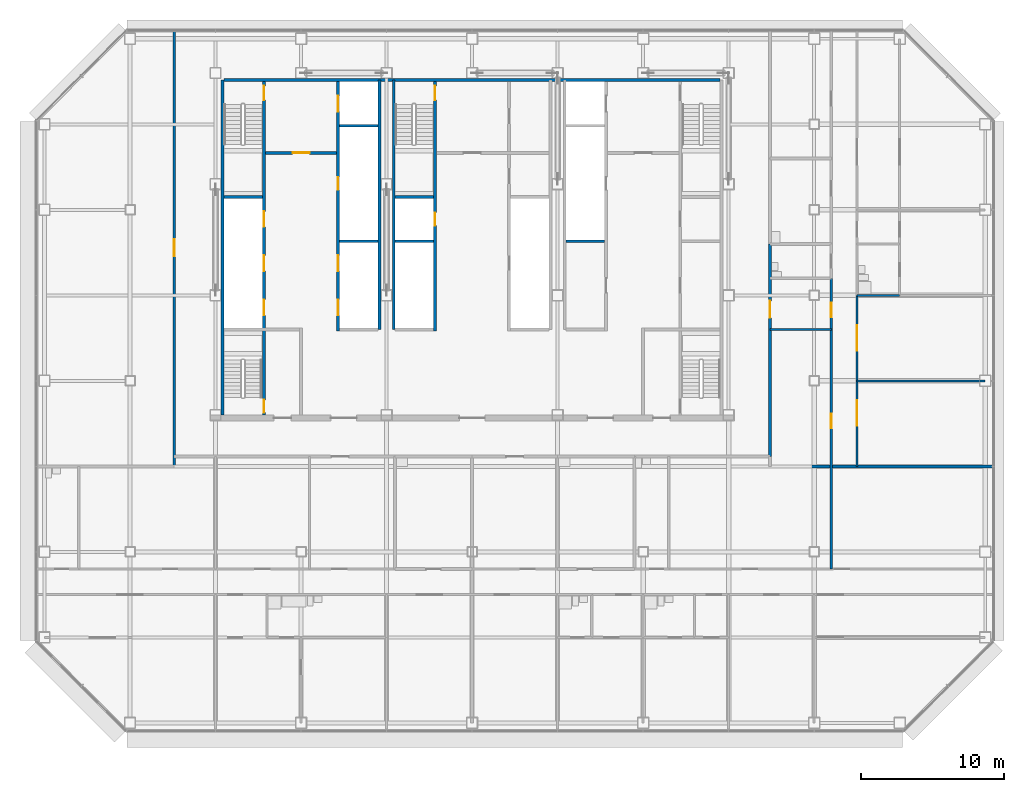
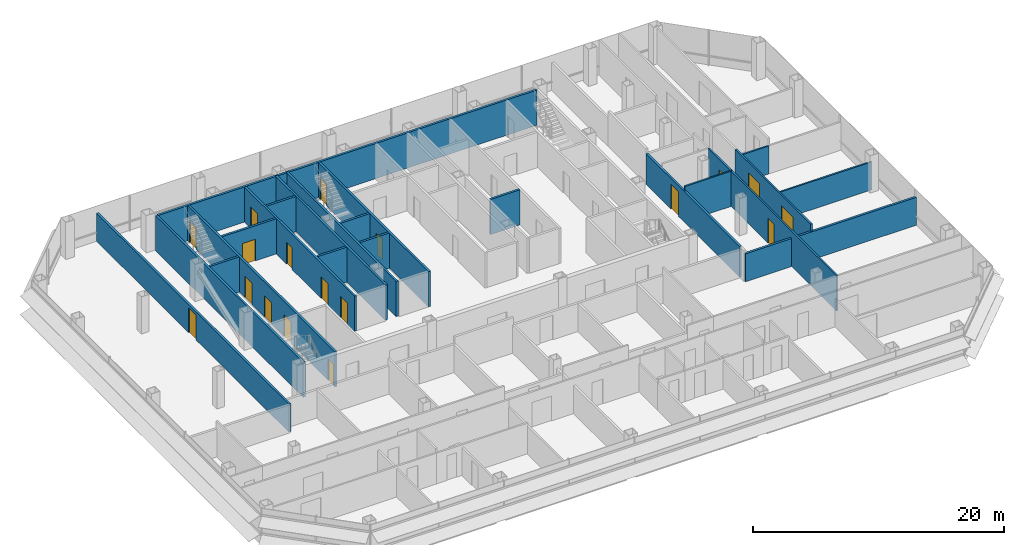
# One storey, part 21 of 25: 22 walls, 18 doors, 18 openings.
"""IFC4 building model written with IfcOpenShell, lengths in metres."""

from ifc_helpers import new_model, si_unit, direction, frame, frame_2d, origin, place, context, subcontext, project, spatial, rectangle, extrude, material, layer, layer_set, type_object, element, fill, save


model = new_model("IFC4")

# Units and contexts
model_context = context("Model", 3, precision=1e-05, world=origin(), true_north=direction((0.0, 1.0)))
body_context = subcontext(model_context, "Body", "Model", "MODEL_VIEW")
ifc_project = project(units=[si_unit("LENGTHUNIT", "METRE"), si_unit("AREAUNIT", "SQUARE_METRE"), si_unit("VOLUMEUNIT", "CUBIC_METRE"), si_unit("PLANEANGLEUNIT", "RADIAN"), si_unit("MASSUNIT", "GRAM", prefix="KILO")], contexts=[model_context])

# Site, building, storey
site_placement = place(None, origin())
site = spatial("IfcSite", under=ifc_project, at=site_placement, CompositionType="ELEMENT")
building_placement = place(site_placement, origin())
building = spatial("IfcBuilding", under=site, at=building_placement, Name="Sorahane Residences", CompositionType="ELEMENT")
storey_placement = place(building_placement, frame((0.0, 0.0, 119.60009765625)))
storey = spatial("IfcBuildingStorey", under=building, at=storey_placement, Name="L26", CompositionType="ELEMENT", Elevation=119.60009765625)

# Walls
ifc_material_1 = material(Name="Concrete C30", Category="concrete")
ifc_layer_1 = layer(ifc_material_1, 0.199951171875)
ifc_layer_set_1 = layer_set([ifc_layer_1], Name="Core face wall 200 EI 180")
wall_type_1 = type_object("IfcWallType", Name="Core face wall 200 EI 180", PredefinedType="SOLIDWALL", material=ifc_layer_set_1)
wall_1_placement = place(storey_placement, frame((6.5, 21.60009765625, 0.0), z_axis=(0.0, 0.0, 1.0), x_axis=(0.0, 1.0, 0.0)))
element("IfcWall", 1, at=wall_1_placement, inside=storey, type_object=wall_type_1, Name="L26 core face wall", PredefinedType="SOLIDWALL", context=body_context, shape_type="SweptSolid", body=[
    extrude(rectangle(XDim=23.5, YDim=0.199951171875, at=frame_2d((11.75, 0.0))), origin(), (0.0, 0.0, 1.0), 3.419921875),
])
wall_2_placement = place(storey_placement, frame((6.60009765625, 45.10009765625, 0.0), z_axis=(0.0, 0.0, 1.0), x_axis=(1.0, 0.0, 0.0)))
element("IfcWall", 2, at=wall_2_placement, inside=storey, type_object=wall_type_1, Name="L26 core face wall", PredefinedType="SOLIDWALL", context=body_context, shape_type="SweptSolid", body=[
    extrude(rectangle(XDim=34.7998046875, YDim=0.199951171875, at=frame_2d((17.39990234375, 0.0))), origin(), (0.0, 0.0, 1.0), 3.419921875),
])
for number, where, z_axis, x_axis, name in (
    (3, (17.5, 27.60009765625, 0.0), (0.0, 0.0, 1.0), (0.0, 1.0, 0.0), "L26 core face wall"),
    (4, (18.5, 27.60009765625, 0.0), (0.0, 0.0, 1.0), (0.0, 1.0, 0.0), "L26 core face wall"),
):
    element("IfcWall", number, at=place(storey_placement, frame(where, z_axis=z_axis, x_axis=x_axis)), inside=storey, type_object=wall_type_1, Name=name, PredefinedType="SOLIDWALL", context=body_context, shape_type="SweptSolid", body=[
        extrude(rectangle(XDim=17.5, YDim=0.199951171875, at=frame_2d((8.75, 0.0))), origin(), (0.0, 0.0, 1.0), 3.419921875),
    ])

# Wall, opening, door
ifc_material_2 = material(Name="Concrete blockwork C20 wall", Category="masonry")
ifc_layer_2 = layer(ifc_material_2, 0.199951171875)
ifc_layer_set_2 = layer_set([ifc_layer_2], Name="Corridor wall 200 EI 120")
wall_type_2 = type_object("IfcWallType", Name="Corridor wall 200 EI 120", PredefinedType="SOLIDWALL", material=ifc_layer_set_2)
wall_3_placement = place(storey_placement, frame((3.10009765625, 18.0, 0.0), z_axis=(0.0, 0.0, 1.0), x_axis=(0.0, 1.0, 0.0)))
wall_3 = element("IfcWall", 5, at=wall_3_placement, inside=storey, type_object=wall_type_2, Name="L26 corridor wall", PredefinedType="SOLIDWALL", context=body_context, shape_type="SweptSolid", body=[
    extrude(rectangle(XDim=30.60009765625, YDim=0.199951171875, at=frame_2d((15.300048828125, 0.0))), origin(), (0.0, 0.0, 1.0), 2.719970703125),
])
opening_1_placement = place(wall_3_placement, frame((14.75, 0.0, 0.0)))
opening_1 = element("IfcOpeningElement", 6, at=opening_1_placement, cuts=wall_3, Name="Opening L26-43", PredefinedType="OPENING", context=body_context, shape_type="SweptSolid", body=[
    extrude(rectangle(XDim=1.199951171875, YDim=2.39990234375, at=frame_2d((0.60009765625, 1.199951171875))), frame((0.0, 0.10986328125, 0.0), z_axis=(0.0, -1.0, 0.0), x_axis=(1.0, 0.0, 0.0)), (0.0, 0.0, 1.0), 0.219970703125),
])
ifc_material_3 = material(Name="Steel", Category="steel")
door_type_1 = type_object("IfcDoorType", Name="Lobby door 1200x2400 FD60", OperationType="NOTDEFINED", PredefinedType="DOOR", material=ifc_material_3)
door_1_placement = place(opening_1_placement, origin())
door_1 = element("IfcDoor", 7, at=door_1_placement, inside=storey, type_object=door_type_1, Name="Lobby door L26-43", OperationType="SINGLE_SWING_LEFT", OverallHeight=2.39990234375, OverallWidth=1.199951171875, PredefinedType="DOOR", context=body_context, shape_type="SweptSolid", body=[
    extrude(rectangle(XDim=1.199951171875, YDim=2.39990234375, at=frame_2d((0.60009765625, 1.199951171875))), frame((0.0, 0.02490234375, 0.0), z_axis=(0.0, -1.0, 0.0), x_axis=(1.0, 0.0, 0.0)), (0.0, 0.0, 1.0), 0.050048828125),
])
fill(opening_1, door_1)

wall_4_placement = place(storey_placement, frame((44.89990234375, 18.699951171875, 0.0), z_axis=(0.0, 0.0, 1.0), x_axis=(0.0, 1.0, 0.0)))
wall_4 = element("IfcWall", 8, at=wall_4_placement, inside=storey, type_object=wall_type_2, Name="L26 corridor wall", PredefinedType="SOLIDWALL", context=body_context, shape_type="SweptSolid", body=[
    extrude(rectangle(XDim=14.900146484375, YDim=0.199951171875, at=frame_2d((7.4501953125, 0.0))), origin(), (0.0, 0.0, 1.0), 2.969970703125),
])
opening_2_placement = place(wall_4_placement, frame((9.719970703125, 0.0, 0.0)))
opening_2 = element("IfcOpeningElement", 9, at=opening_2_placement, cuts=wall_4, Name="Opening L26-42", PredefinedType="OPENING", context=body_context, shape_type="SweptSolid", body=[
    extrude(rectangle(XDim=1.199951171875, YDim=2.39990234375, at=frame_2d((0.60009765625, 1.199951171875))), frame((0.0, 0.10986328125, 0.0), z_axis=(0.0, -1.0, 0.0), x_axis=(1.0, 0.0, 0.0)), (0.0, 0.0, 1.0), 0.219970703125),
])
ifc_material_4 = material(Name="Timber veneered fire door", Category="wood")
door_type_2 = type_object("IfcDoorType", Name="Flat entrance door 1200x2400 FD60", OperationType="NOTDEFINED", PredefinedType="DOOR", material=ifc_material_4)
door_2_placement = place(opening_2_placement, frame((1.199951171875, 0.0, 0.0), z_axis=(0.0, 0.0, 1.0), x_axis=(-1.0, 0.0, 0.0)))
door_2 = element("IfcDoor", 10, at=door_2_placement, inside=storey, type_object=door_type_2, Name="Flat entrance door L26-42", OperationType="SINGLE_SWING_RIGHT", OverallHeight=2.39990234375, OverallWidth=1.199951171875, PredefinedType="DOOR", context=body_context, shape_type="SweptSolid", body=[
    extrude(rectangle(XDim=1.199951171875, YDim=2.39990234375, at=frame_2d((0.60009765625, 1.199951171875))), frame((0.0, 0.02490234375, 0.0), z_axis=(0.0, -1.0, 0.0), x_axis=(1.0, 0.0, 0.0)), (0.0, 0.0, 1.0), 0.050048828125),
])
fill(opening_2, door_2)

ifc_material_5 = material(Name="Concrete C30", Category="concrete")
ifc_layer_3 = layer(ifc_material_5, 0.199951171875)
ifc_layer_set_3 = layer_set([ifc_layer_3], Name="Front room wall 200 EI 120")
wall_type_3 = type_object("IfcWallType", Name="Front room wall 200 EI 120", PredefinedType="PARTITIONING", material=ifc_layer_set_3)
wall_5_placement = place(storey_placement, frame((9.5, 40.0, 0.0), z_axis=(0.0, 0.0, 1.0), x_axis=(1.0, 0.0, 0.0)))
wall_5 = element("IfcWall", 11, at=wall_5_placement, inside=storey, type_object=wall_type_3, Name="L26 front room wall", PredefinedType="PARTITIONING", context=body_context, shape_type="SweptSolid", body=[
    extrude(rectangle(XDim=5.0, YDim=0.199951171875, at=frame_2d((2.5, 0.0))), origin(), (0.0, 0.0, 1.0), 3.419921875),
])
opening_3_placement = place(wall_5_placement, frame((1.89990234375, 0.0, 0.0)))
opening_3 = element("IfcOpeningElement", 12, at=opening_3_placement, cuts=wall_5, Name="Opening L26-C06", PredefinedType="OPENING", context=body_context, shape_type="SweptSolid", body=[
    extrude(rectangle(XDim=1.199951171875, YDim=2.10009765625, at=frame_2d((0.60009765625, 1.050048828125))), frame((0.0, 0.10986328125, 0.0), z_axis=(0.0, -1.0, 0.0), x_axis=(1.0, 0.0, 0.0)), (0.0, 0.0, 1.0), 0.219970703125),
])
ifc_material_6 = material(Name="Steel", Category="steel")
door_type_3 = type_object("IfcDoorType", Name="Front room door 1200x2100 FD120", OperationType="NOTDEFINED", PredefinedType="DOOR", material=ifc_material_6)
door_3_placement = place(opening_3_placement, frame((1.199951171875, 0.0, 0.0), z_axis=(0.0, 0.0, 1.0), x_axis=(-1.0, 0.0, 0.0)))
door_3 = element("IfcDoor", 13, at=door_3_placement, inside=storey, type_object=door_type_3, Name="Front room door Firefighting lobby FF1 front room L26", OperationType="DOUBLE_DOOR_SINGLE_SWING", OverallHeight=2.10009765625, OverallWidth=1.199951171875, PredefinedType="DOOR", context=body_context, shape_type="SweptSolid", body=[
    extrude(rectangle(XDim=1.199951171875, YDim=2.10009765625, at=frame_2d((0.60009765625, 1.050048828125))), frame((0.0, 0.02490234375, 0.0), z_axis=(0.0, -1.0, 0.0), x_axis=(1.0, 0.0, 0.0)), (0.0, 0.0, 1.0), 0.050048828125),
])
fill(opening_3, door_3)

# Wall, openings, doors
ifc_material_7 = material(Name="Concrete C30", Category="concrete")
ifc_layer_4 = layer(ifc_material_7, 0.199951171875)
ifc_layer_set_4 = layer_set([ifc_layer_4], Name="Lift shaft wall 200 EI 120")
wall_type_4 = type_object("IfcWallType", Name="Lift shaft wall 200 EI 120", PredefinedType="SOLIDWALL", material=ifc_layer_set_4)
wall_6_placement = place(storey_placement, frame((14.60009765625, 27.5, 0.0), z_axis=(0.0, 0.0, 1.0), x_axis=(0.0, 1.0, 0.0)))
wall_6 = element("IfcWall", 14, at=wall_6_placement, inside=storey, type_object=wall_type_4, Name="L26 lift shaft wall", PredefinedType="SOLIDWALL", context=body_context, shape_type="SweptSolid", body=[
    extrude(rectangle(XDim=17.5, YDim=0.199951171875, at=frame_2d((8.75, 0.0))), origin(), (0.0, 0.0, 1.0), 3.419921875),
])
opening_4_placement = place(wall_6_placement, frame((1.10009765625, 0.0, 0.0)))
opening_4 = element("IfcOpeningElement", 15, at=opening_4_placement, cuts=wall_6, Name="Opening L26-C10", PredefinedType="OPENING", context=body_context, shape_type="SweptSolid", body=[
    extrude(rectangle(XDim=1.10009765625, YDim=2.10009765625, at=frame_2d((0.550048828125, 1.050048828125))), frame((0.0, 0.10986328125, 0.0), z_axis=(0.0, -1.0, 0.0), x_axis=(1.0, 0.0, 0.0)), (0.0, 0.0, 1.0), 0.219970703125),
])
opening_5_placement = place(wall_6_placement, frame((4.199951171875, 0.0, 0.0)))
opening_5 = element("IfcOpeningElement", 16, at=opening_5_placement, cuts=wall_6, Name="Opening L26-C11", PredefinedType="OPENING", context=body_context, shape_type="SweptSolid", body=[
    extrude(rectangle(XDim=1.10009765625, YDim=2.10009765625, at=frame_2d((0.550048828125, 1.050048828125))), frame((0.0, 0.10986328125, 0.0), z_axis=(0.0, -1.0, 0.0), x_axis=(1.0, 0.0, 0.0)), (0.0, 0.0, 1.0), 0.219970703125),
])
opening_6_placement = place(wall_6_placement, frame((15.39990234375, 0.0, 0.0)))
opening_6 = element("IfcOpeningElement", 17, at=opening_6_placement, cuts=wall_6, Name="Opening L26-C12", PredefinedType="OPENING", context=body_context, shape_type="SweptSolid", body=[
    extrude(rectangle(XDim=1.10009765625, YDim=2.10009765625, at=frame_2d((0.550048828125, 1.050048828125))), frame((0.0, 0.10986328125, 0.0), z_axis=(0.0, -1.0, 0.0), x_axis=(1.0, 0.0, 0.0)), (0.0, 0.0, 1.0), 0.219970703125),
])
opening_7_placement = place(wall_6_placement, frame((9.89990234375, 0.0, 0.0)))
opening_7 = element("IfcOpeningElement", 18, at=opening_7_placement, cuts=wall_6, Name="Opening L26-C24", PredefinedType="OPENING", context=body_context, shape_type="SweptSolid", body=[
    extrude(rectangle(XDim=0.89990234375, YDim=2.10009765625, at=frame_2d((0.449951171875, 1.050048828125))), frame((0.0, 0.10986328125, 0.0), z_axis=(0.0, -1.0, 0.0), x_axis=(1.0, 0.0, 0.0)), (0.0, 0.0, 1.0), 0.219970703125),
])
ifc_material_8 = material(Name="Aluminium and stainless steel", Category="steel")
door_type_4 = type_object("IfcDoorType", Name="Lift landing door 1100x2100 E 60", OperationType="NOTDEFINED", PredefinedType="DOOR", material=ifc_material_8)
door_4_placement = place(opening_4_placement, origin())
door_4 = element("IfcDoor", 19, at=door_4_placement, inside=storey, type_object=door_type_4, Name="Lift landing door LR4 L26", OperationType="DOUBLE_DOOR_SLIDING", OverallHeight=2.10009765625, OverallWidth=1.10009765625, PredefinedType="DOOR", context=body_context, shape_type="SweptSolid", body=[
    extrude(rectangle(XDim=1.10009765625, YDim=2.10009765625, at=frame_2d((0.550048828125, 1.050048828125))), frame((0.0, 0.02490234375, 0.0), z_axis=(0.0, -1.0, 0.0), x_axis=(1.0, 0.0, 0.0)), (0.0, 0.0, 1.0), 0.050048828125),
])
fill(opening_4, door_4)
door_5_placement = place(opening_5_placement, origin())
door_5 = element("IfcDoor", 20, at=door_5_placement, inside=storey, type_object=door_type_4, Name="Lift landing door LR5 L26", OperationType="DOUBLE_DOOR_SLIDING", OverallHeight=2.10009765625, OverallWidth=1.10009765625, PredefinedType="DOOR", context=body_context, shape_type="SweptSolid", body=[
    extrude(rectangle(XDim=1.10009765625, YDim=2.10009765625, at=frame_2d((0.550048828125, 1.050048828125))), frame((0.0, 0.02490234375, 0.0), z_axis=(0.0, -1.0, 0.0), x_axis=(1.0, 0.0, 0.0)), (0.0, 0.0, 1.0), 0.050048828125),
])
fill(opening_5, door_5)
door_6_placement = place(opening_6_placement, origin())
door_6 = element("IfcDoor", 21, at=door_6_placement, inside=storey, type_object=door_type_4, Name="Lift landing door FF1 L26", OperationType="DOUBLE_DOOR_SLIDING", OverallHeight=2.10009765625, OverallWidth=1.10009765625, PredefinedType="DOOR", context=body_context, shape_type="SweptSolid", body=[
    extrude(rectangle(XDim=1.10009765625, YDim=2.10009765625, at=frame_2d((0.550048828125, 1.050048828125))), frame((0.0, 0.02490234375, 0.0), z_axis=(0.0, -1.0, 0.0), x_axis=(1.0, 0.0, 0.0)), (0.0, 0.0, 1.0), 0.050048828125),
])
fill(opening_6, door_6)
ifc_material_9 = material(Name="Steel", Category="steel")
door_type_5 = type_object("IfcDoorType", Name="Riser door 900x2100 FD120", OperationType="NOTDEFINED", PredefinedType="DOOR", material=ifc_material_9)
door_7_placement = place(opening_7_placement, origin())
door_7 = element("IfcDoor", 22, at=door_7_placement, inside=storey, type_object=door_type_5, Name="Riser door R1 L26", OperationType="SINGLE_SWING_LEFT", OverallHeight=2.10009765625, OverallWidth=0.89990234375, PredefinedType="DOOR", context=body_context, shape_type="SweptSolid", body=[
    extrude(rectangle(XDim=0.89990234375, YDim=2.10009765625, at=frame_2d((0.449951171875, 1.050048828125))), frame((0.0, 0.02490234375, 0.0), z_axis=(0.0, -1.0, 0.0), x_axis=(1.0, 0.0, 0.0)), (0.0, 0.0, 1.0), 0.050048828125),
])
fill(opening_7, door_7)

# Walls
for number, where, z_axis, x_axis, name in (
    (23, (14.699951171875, 33.800048828125, 0.0), (0.0, 0.0, 1.0), (1.0, 0.0, 0.0), "L26 lift shaft wall"),
    (24, (18.60009765625, 33.800048828125, 0.0), (0.0, 0.0, 1.0), (1.0, 0.0, 0.0), "L26 lift shaft wall"),
    (25, (14.699951171875, 41.89990234375, 0.0), (0.0, 0.0, 1.0), (1.0, 0.0, 0.0), "L26 lift shaft wall"),
):
    element("IfcWall", number, at=place(storey_placement, frame(where, z_axis=z_axis, x_axis=x_axis)), inside=storey, type_object=wall_type_4, Name=name, PredefinedType="SOLIDWALL", context=body_context, shape_type="SweptSolid", body=[
        extrude(rectangle(XDim=2.699951171875, YDim=0.199951171875, at=frame_2d((1.35009765625, 0.0))), origin(), (0.0, 0.0, 1.0), 3.419921875),
    ])

# Wall, openings, doors
ifc_material_10 = material(Name="Gypsum board partition on steel studs", Category="steel")
ifc_layer_5 = layer(ifc_material_10, 0.14990234375)
ifc_layer_set_5 = layer_set([ifc_layer_5], Name="Partition 150 EI 90")
wall_type_5 = type_object("IfcWallType", Name="Partition 150 EI 90", PredefinedType="PARTITIONING", material=ifc_layer_set_5)
wall_7_placement = place(storey_placement, frame((49.199951171875, 10.800048828125, 0.0), z_axis=(0.0, 0.0, 1.0), x_axis=(0.0, 1.0, 0.0)))
wall_7 = element("IfcWall", 26, at=wall_7_placement, inside=storey, type_object=wall_type_5, Name="L26 partition", PredefinedType="PARTITIONING", context=body_context, shape_type="SweptSolid", body=[
    extrude(rectangle(XDim=20.39990234375, YDim=0.14990234375, at=frame_2d((10.199951171875, 0.0))), origin(), (0.0, 0.0, 1.0), 3.419921875),
])
opening_8_placement = place(wall_7_placement, frame((17.679931640625, 0.0, 0.0)))
opening_8 = element("IfcOpeningElement", 27, at=opening_8_placement, cuts=wall_7, Name="Opening L26-28", PredefinedType="OPENING", context=body_context, shape_type="SweptSolid", body=[
    extrude(rectangle(XDim=1.0, YDim=2.39990234375, at=frame_2d((0.5, 1.199951171875))), frame((0.0, 0.0849609375, 0.0), z_axis=(0.0, -1.0, 0.0), x_axis=(1.0, 0.0, 0.0)), (0.0, 0.0, 1.0), 0.169921875),
])
opening_9_placement = place(wall_7_placement, frame((9.8798828125, 0.0, 0.0)))
opening_9 = element("IfcOpeningElement", 28, at=opening_9_placement, cuts=wall_7, Name="Opening L26-29", PredefinedType="OPENING", context=body_context, shape_type="SweptSolid", body=[
    extrude(rectangle(XDim=1.0, YDim=2.39990234375, at=frame_2d((0.5, 1.199951171875))), frame((0.0, 0.0849609375, 0.0), z_axis=(0.0, -1.0, 0.0), x_axis=(1.0, 0.0, 0.0)), (0.0, 0.0, 1.0), 0.169921875),
])
ifc_material_11 = material(Name="Timber veneered fire door", Category="wood")
door_type_6 = type_object("IfcDoorType", Name="Room door 1000x2400 FD30", OperationType="NOTDEFINED", PredefinedType="DOOR", material=ifc_material_11)
door_8_placement = place(opening_8_placement, frame((1.0, 0.0, 0.0), z_axis=(0.0, 0.0, 1.0), x_axis=(-1.0, 0.0, 0.0)))
door_8 = element("IfcDoor", 29, at=door_8_placement, inside=storey, type_object=door_type_6, Name="Room door L26-28", OperationType="SINGLE_SWING_RIGHT", OverallHeight=2.39990234375, OverallWidth=1.0, PredefinedType="DOOR", context=body_context, shape_type="SweptSolid", body=[
    extrude(rectangle(XDim=1.0, YDim=2.39990234375, at=frame_2d((0.5, 1.199951171875))), frame((0.0, 0.02490234375, 0.0), z_axis=(0.0, -1.0, 0.0), x_axis=(1.0, 0.0, 0.0)), (0.0, 0.0, 1.0), 0.050048828125),
])
fill(opening_8, door_8)
door_9_placement = place(opening_9_placement, origin())
door_9 = element("IfcDoor", 30, at=door_9_placement, inside=storey, type_object=door_type_6, Name="Room door L26-29", OperationType="SINGLE_SWING_RIGHT", OverallHeight=2.39990234375, OverallWidth=1.0, PredefinedType="DOOR", context=body_context, shape_type="SweptSolid", body=[
    extrude(rectangle(XDim=1.0, YDim=2.39990234375, at=frame_2d((0.5, 1.199951171875))), frame((0.0, 0.02490234375, 0.0), z_axis=(0.0, -1.0, 0.0), x_axis=(1.0, 0.0, 0.0)), (0.0, 0.0, 1.0), 0.050048828125),
])
fill(opening_9, door_9)

wall_8_placement = place(storey_placement, frame((51.0, 18.0, 0.0), z_axis=(0.0, 0.0, 1.0), x_axis=(0.0, 1.0, 0.0)))
wall_8 = element("IfcWall", 31, at=wall_8_placement, inside=storey, type_object=wall_type_5, Name="L26 partition", PredefinedType="PARTITIONING", context=body_context, shape_type="SweptSolid", body=[
    extrude(rectangle(XDim=12.0, YDim=0.14990234375, at=frame_2d((6.0, 0.0))), origin(), (0.0, 0.0, 1.0), 3.419921875),
])
opening_10_placement = place(wall_8_placement, frame((2.840087890625, 0.0, 0.0)))
opening_10 = element("IfcOpeningElement", 32, at=opening_10_placement, cuts=wall_8, Name="Opening L26-33", PredefinedType="OPENING", context=body_context, shape_type="SweptSolid", body=[
    extrude(rectangle(XDim=1.800048828125, YDim=2.39990234375, at=frame_2d((0.89990234375, 1.199951171875))), frame((0.0, 0.0849609375, 0.0), z_axis=(0.0, -1.0, 0.0), x_axis=(1.0, 0.0, 0.0)), (0.0, 0.0, 1.0), 0.169921875),
])
opening_11_placement = place(wall_8_placement, frame((8.10009765625, 0.0, 0.0)))
opening_11 = element("IfcOpeningElement", 33, at=opening_11_placement, cuts=wall_8, Name="Opening L26-34", PredefinedType="OPENING", context=body_context, shape_type="SweptSolid", body=[
    extrude(rectangle(XDim=1.800048828125, YDim=2.39990234375, at=frame_2d((0.89990234375, 1.199951171875))), frame((0.0, 0.0849609375, 0.0), z_axis=(0.0, -1.0, 0.0), x_axis=(1.0, 0.0, 0.0)), (0.0, 0.0, 1.0), 0.169921875),
])
ifc_material_12 = material(Name="Timber veneered fire door", Category="wood")
door_type_7 = type_object("IfcDoorType", Name="Double door 1800x2400 FD30", OperationType="NOTDEFINED", PredefinedType="DOOR", material=ifc_material_12)
door_10_placement = place(opening_10_placement, frame((1.800048828125, 0.0, 0.0), z_axis=(0.0, 0.0, 1.0), x_axis=(-1.0, 0.0, 0.0)))
door_10 = element("IfcDoor", 34, at=door_10_placement, inside=storey, type_object=door_type_7, Name="Double door L26-33", OperationType="SINGLE_SWING_RIGHT", OverallHeight=2.39990234375, OverallWidth=1.800048828125, PredefinedType="DOOR", context=body_context, shape_type="SweptSolid", body=[
    extrude(rectangle(XDim=1.800048828125, YDim=2.39990234375, at=frame_2d((0.89990234375, 1.199951171875))), frame((0.0, 0.02490234375, 0.0), z_axis=(0.0, -1.0, 0.0), x_axis=(1.0, 0.0, 0.0)), (0.0, 0.0, 1.0), 0.050048828125),
])
fill(opening_10, door_10)
door_11_placement = place(opening_11_placement, frame((1.800048828125, 0.0, 0.0), z_axis=(0.0, 0.0, 1.0), x_axis=(-1.0, 0.0, 0.0)))
door_11 = element("IfcDoor", 35, at=door_11_placement, inside=storey, type_object=door_type_7, Name="Double door L26-34", OperationType="SINGLE_SWING_LEFT", OverallHeight=2.39990234375, OverallWidth=1.800048828125, PredefinedType="DOOR", context=body_context, shape_type="SweptSolid", body=[
    extrude(rectangle(XDim=1.800048828125, YDim=2.39990234375, at=frame_2d((0.89990234375, 1.199951171875))), frame((0.0, 0.02490234375, 0.0), z_axis=(0.0, -1.0, 0.0), x_axis=(1.0, 0.0, 0.0)), (0.0, 0.0, 1.0), 0.050048828125),
])
fill(opening_11, door_11)

# Walls
wall_9_placement = place(storey_placement, frame((51.0, 24.0, 0.0), z_axis=(0.0, 0.0, 1.0), x_axis=(1.0, 0.0, 0.0)))
element("IfcWall", 36, at=wall_9_placement, inside=storey, type_object=wall_type_5, Name="L26 partition", PredefinedType="PARTITIONING", context=body_context, shape_type="SweptSolid", body=[
    extrude(rectangle(XDim=9.0, YDim=0.14990234375, at=frame_2d((4.5, 0.0))), origin(), (0.0, 0.0, 1.0), 2.719970703125),
])
wall_10_placement = place(storey_placement, frame((44.89990234375, 27.60009765625, 0.0), z_axis=(0.0, 0.0, 1.0), x_axis=(1.0, 0.0, 0.0)))
element("IfcWall", 37, at=wall_10_placement, inside=storey, type_object=wall_type_5, Name="L26 partition", PredefinedType="PARTITIONING", context=body_context, shape_type="SweptSolid", body=[
    extrude(rectangle(XDim=4.300048828125, YDim=0.14990234375, at=frame_2d((2.14990234375, 0.0))), origin(), (0.0, 0.0, 1.0), 3.419921875),
])
ifc_material_13 = material(Name="Concrete blockwork C20 wall", Category="masonry")
ifc_layer_6 = layer(ifc_material_13, 0.199951171875)
ifc_layer_set_6 = layer_set([ifc_layer_6], Name="Party wall 200 EI 120")
wall_type_6 = type_object("IfcWallType", Name="Party wall 200 EI 120", PredefinedType="SOLIDWALL", material=ifc_layer_set_6)
wall_11_placement = place(storey_placement, frame((44.89990234375, 18.0, 0.0), z_axis=(0.0, 0.0, 1.0), x_axis=(1.0, 0.0, 0.0)))
element("IfcWall", 38, at=wall_11_placement, inside=storey, type_object=wall_type_6, Name="L26 party wall", PredefinedType="SOLIDWALL", context=body_context, shape_type="SweptSolid", body=[
    extrude(rectangle(XDim=15.7001953125, YDim=0.199951171875, at=frame_2d((7.85009765625, 0.0))), origin(), (0.0, 0.0, 1.0), 2.719970703125),
])
ifc_material_14 = material(Name="Concrete C30", Category="concrete")
ifc_layer_7 = layer(ifc_material_14, 0.199951171875)
ifc_layer_set_7 = layer_set([ifc_layer_7], Name="Riser shaft wall 200 EI 120")
wall_type_7 = type_object("IfcWallType", Name="Riser shaft wall 200 EI 120", PredefinedType="SOLIDWALL", material=ifc_layer_set_7)
wall_12_placement = place(storey_placement, frame((30.60009765625, 33.800048828125, 0.0), z_axis=(0.0, 0.0, 1.0), x_axis=(1.0, 0.0, 0.0)))
element("IfcWall", 39, at=wall_12_placement, inside=storey, type_object=wall_type_7, Name="L26 riser wall", PredefinedType="SOLIDWALL", context=body_context, shape_type="SweptSolid", body=[
    extrude(rectangle(XDim=2.699951171875, YDim=0.199951171875, at=frame_2d((1.35009765625, 0.0))), origin(), (0.0, 0.0, 1.0), 3.419921875),
])

# Wall, openings, doors
ifc_material_15 = material(Name="Concrete C30", Category="concrete")
ifc_layer_8 = layer(ifc_material_15, 0.199951171875)
ifc_layer_set_8 = layer_set([ifc_layer_8], Name="Stair enclosure wall 200 EI 120")
wall_type_8 = type_object("IfcWallType", Name="Stair enclosure wall 200 EI 120", PredefinedType="SOLIDWALL", material=ifc_layer_set_8)
wall_13_placement = place(storey_placement, frame((21.39990234375, 27.5, 0.0), z_axis=(0.0, 0.0, 1.0), x_axis=(0.0, 1.0, 0.0)))
wall_13 = element("IfcWall", 40, at=wall_13_placement, inside=storey, type_object=wall_type_8, Name="L26 stair enclosure wall", PredefinedType="SOLIDWALL", context=body_context, shape_type="SweptSolid", body=[
    extrude(rectangle(XDim=17.5, YDim=0.199951171875, at=frame_2d((8.75, 0.0))), origin(), (0.0, 0.0, 1.0), 3.419921875),
])
opening_12_placement = place(wall_13_placement, frame((16.199951171875, 0.0, 0.0)))
opening_12 = element("IfcOpeningElement", 41, at=opening_12_placement, cuts=wall_13, Name="Opening L26-C21", PredefinedType="OPENING", context=body_context, shape_type="SweptSolid", body=[
    extrude(rectangle(XDim=1.0, YDim=2.10009765625, at=frame_2d((0.5, 1.050048828125))), frame((0.0, 0.10986328125, 0.0), z_axis=(0.0, -1.0, 0.0), x_axis=(1.0, 0.0, 0.0)), (0.0, 0.0, 1.0), 0.219970703125),
])
opening_13_placement = place(wall_13_placement, frame((7.39990234375, 0.0, 0.0)))
opening_13 = element("IfcOpeningElement", 42, at=opening_13_placement, cuts=wall_13, Name="Opening L26-C26", PredefinedType="OPENING", context=body_context, shape_type="SweptSolid", body=[
    extrude(rectangle(XDim=0.89990234375, YDim=2.10009765625, at=frame_2d((0.449951171875, 1.050048828125))), frame((0.0, 0.10986328125, 0.0), z_axis=(0.0, -1.0, 0.0), x_axis=(1.0, 0.0, 0.0)), (0.0, 0.0, 1.0), 0.219970703125),
])
door_12_placement = place(opening_13_placement, frame((0.89990234375, 0.0, 0.0), z_axis=(0.0, 0.0, 1.0), x_axis=(-1.0, 0.0, 0.0)))
door_12 = element("IfcDoor", 43, at=door_12_placement, inside=storey, type_object=door_type_5, Name="Riser door R3 L26", OperationType="SINGLE_SWING_LEFT", OverallHeight=2.10009765625, OverallWidth=0.89990234375, PredefinedType="DOOR", context=body_context, shape_type="SweptSolid", body=[
    extrude(rectangle(XDim=0.89990234375, YDim=2.10009765625, at=frame_2d((0.449951171875, 1.050048828125))), frame((0.0, 0.02490234375, 0.0), z_axis=(0.0, -1.0, 0.0), x_axis=(1.0, 0.0, 0.0)), (0.0, 0.0, 1.0), 0.050048828125),
])
fill(opening_13, door_12)
ifc_material_16 = material(Name="Steel", Category="steel")
door_type_8 = type_object("IfcDoorType", Name="Stair door 1000x2100 FD120", OperationType="NOTDEFINED", PredefinedType="DOOR", material=ifc_material_16)
door_13_placement = place(opening_12_placement, origin())
door_13 = element("IfcDoor", 44, at=door_13_placement, inside=storey, type_object=door_type_8, Name="Stair door S3 L26", OperationType="SINGLE_SWING_LEFT", OverallHeight=2.10009765625, OverallWidth=1.0, PredefinedType="DOOR", context=body_context, shape_type="SweptSolid", body=[
    extrude(rectangle(XDim=1.0, YDim=2.10009765625, at=frame_2d((0.5, 1.050048828125))), frame((0.0, 0.02490234375, 0.0), z_axis=(0.0, -1.0, 0.0), x_axis=(1.0, 0.0, 0.0)), (0.0, 0.0, 1.0), 0.050048828125),
])
fill(opening_12, door_13)

wall_14_placement = place(storey_placement, frame((9.39990234375, 21.60009765625, 0.0), z_axis=(0.0, 0.0, 1.0), x_axis=(0.0, 1.0, 0.0)))
wall_14 = element("IfcWall", 45, at=wall_14_placement, inside=storey, type_object=wall_type_8, Name="L26 stair enclosure wall", PredefinedType="SOLIDWALL", context=body_context, shape_type="SweptSolid", body=[
    extrude(rectangle(XDim=23.39990234375, YDim=0.199951171875, at=frame_2d((11.699951171875, 0.0))), origin(), (0.0, 0.0, 1.0), 3.419921875),
])
opening_14_placement = place(wall_14_placement, frame((7.0, 0.0, 0.0)))
opening_14 = element("IfcOpeningElement", 46, at=opening_14_placement, cuts=wall_14, Name="Opening L26-C13", PredefinedType="OPENING", context=body_context, shape_type="SweptSolid", body=[
    extrude(rectangle(XDim=1.10009765625, YDim=2.10009765625, at=frame_2d((0.550048828125, 1.050048828125))), frame((0.0, 0.10986328125, 0.0), z_axis=(0.0, -1.0, 0.0), x_axis=(1.0, 0.0, 0.0)), (0.0, 0.0, 1.0), 0.219970703125),
])
opening_15_placement = place(wall_14_placement, frame((10.10009765625, 0.0, 0.0)))
opening_15 = element("IfcOpeningElement", 47, at=opening_15_placement, cuts=wall_14, Name="Opening L26-C14", PredefinedType="OPENING", context=body_context, shape_type="SweptSolid", body=[
    extrude(rectangle(XDim=1.10009765625, YDim=2.10009765625, at=frame_2d((0.550048828125, 1.050048828125))), frame((0.0, 0.10986328125, 0.0), z_axis=(0.0, -1.0, 0.0), x_axis=(1.0, 0.0, 0.0)), (0.0, 0.0, 1.0), 0.219970703125),
])
opening_16_placement = place(wall_14_placement, frame((13.199951171875, 0.0, 0.0)))
opening_16 = element("IfcOpeningElement", 48, at=opening_16_placement, cuts=wall_14, Name="Opening L26-C15", PredefinedType="OPENING", context=body_context, shape_type="SweptSolid", body=[
    extrude(rectangle(XDim=1.10009765625, YDim=2.10009765625, at=frame_2d((0.550048828125, 1.050048828125))), frame((0.0, 0.10986328125, 0.0), z_axis=(0.0, -1.0, 0.0), x_axis=(1.0, 0.0, 0.0)), (0.0, 0.0, 1.0), 0.219970703125),
])
opening_17_placement = place(wall_14_placement, frame((22.10009765625, 0.0, 0.0)))
opening_17 = element("IfcOpeningElement", 49, at=opening_17_placement, cuts=wall_14, Name="Opening L26-C19", PredefinedType="OPENING", context=body_context, shape_type="SweptSolid", body=[
    extrude(rectangle(XDim=1.0, YDim=2.10009765625, at=frame_2d((0.5, 1.050048828125))), frame((0.0, 0.10986328125, 0.0), z_axis=(0.0, -1.0, 0.0), x_axis=(1.0, 0.0, 0.0)), (0.0, 0.0, 1.0), 0.219970703125),
])
opening_18_placement = place(wall_14_placement, frame((0.175048828125, 0.0, 0.0)))
opening_18 = element("IfcOpeningElement", 50, at=opening_18_placement, cuts=wall_14, Name="Opening L26-C22", PredefinedType="OPENING", context=body_context, shape_type="SweptSolid", body=[
    extrude(rectangle(XDim=0.89990234375, YDim=2.10009765625, at=frame_2d((0.449951171875, 1.050048828125))), frame((0.0, 0.10986328125, 0.0), z_axis=(0.0, -1.0, 0.0), x_axis=(1.0, 0.0, 0.0)), (0.0, 0.0, 1.0), 0.219970703125),
])
door_14_placement = place(opening_14_placement, origin())
door_14 = element("IfcDoor", 51, at=door_14_placement, inside=storey, type_object=door_type_4, Name="Lift landing door LR1 L26", OperationType="DOUBLE_DOOR_SLIDING", OverallHeight=2.10009765625, OverallWidth=1.10009765625, PredefinedType="DOOR", context=body_context, shape_type="SweptSolid", body=[
    extrude(rectangle(XDim=1.10009765625, YDim=2.10009765625, at=frame_2d((0.550048828125, 1.050048828125))), frame((0.0, 0.02490234375, 0.0), z_axis=(0.0, -1.0, 0.0), x_axis=(1.0, 0.0, 0.0)), (0.0, 0.0, 1.0), 0.050048828125),
])
fill(opening_14, door_14)
door_15_placement = place(opening_15_placement, origin())
door_15 = element("IfcDoor", 52, at=door_15_placement, inside=storey, type_object=door_type_4, Name="Lift landing door LR2 L26", OperationType="DOUBLE_DOOR_SLIDING", OverallHeight=2.10009765625, OverallWidth=1.10009765625, PredefinedType="DOOR", context=body_context, shape_type="SweptSolid", body=[
    extrude(rectangle(XDim=1.10009765625, YDim=2.10009765625, at=frame_2d((0.550048828125, 1.050048828125))), frame((0.0, 0.02490234375, 0.0), z_axis=(0.0, -1.0, 0.0), x_axis=(1.0, 0.0, 0.0)), (0.0, 0.0, 1.0), 0.050048828125),
])
fill(opening_15, door_15)
door_16_placement = place(opening_16_placement, origin())
door_16 = element("IfcDoor", 53, at=door_16_placement, inside=storey, type_object=door_type_4, Name="Lift landing door LR3 L26", OperationType="DOUBLE_DOOR_SLIDING", OverallHeight=2.10009765625, OverallWidth=1.10009765625, PredefinedType="DOOR", context=body_context, shape_type="SweptSolid", body=[
    extrude(rectangle(XDim=1.10009765625, YDim=2.10009765625, at=frame_2d((0.550048828125, 1.050048828125))), frame((0.0, 0.02490234375, 0.0), z_axis=(0.0, -1.0, 0.0), x_axis=(1.0, 0.0, 0.0)), (0.0, 0.0, 1.0), 0.050048828125),
])
fill(opening_16, door_16)
door_17_placement = place(opening_17_placement, origin())
door_17 = element("IfcDoor", 54, at=door_17_placement, inside=storey, type_object=door_type_8, Name="Stair door S1 L26", OperationType="SINGLE_SWING_LEFT", OverallHeight=2.10009765625, OverallWidth=1.0, PredefinedType="DOOR", context=body_context, shape_type="SweptSolid", body=[
    extrude(rectangle(XDim=1.0, YDim=2.10009765625, at=frame_2d((0.5, 1.050048828125))), frame((0.0, 0.02490234375, 0.0), z_axis=(0.0, -1.0, 0.0), x_axis=(1.0, 0.0, 0.0)), (0.0, 0.0, 1.0), 0.050048828125),
])
fill(opening_17, door_17)
ifc_material_17 = material(Name="Steel", Category="steel")
door_type_9 = type_object("IfcDoorType", Name="Stair door 900x2100 FD120", OperationType="NOTDEFINED", PredefinedType="DOOR", material=ifc_material_17)
door_18_placement = place(opening_18_placement, origin())
door_18 = element("IfcDoor", 55, at=door_18_placement, inside=storey, type_object=door_type_9, Name="Stair door S4 L26", OperationType="SINGLE_SWING_LEFT", OverallHeight=2.10009765625, OverallWidth=0.89990234375, PredefinedType="DOOR", context=body_context, shape_type="SweptSolid", body=[
    extrude(rectangle(XDim=0.89990234375, YDim=2.10009765625, at=frame_2d((0.449951171875, 1.050048828125))), frame((0.0, 0.02490234375, 0.0), z_axis=(0.0, -1.0, 0.0), x_axis=(1.0, 0.0, 0.0)), (0.0, 0.0, 1.0), 0.050048828125),
])
fill(opening_18, door_18)

# Walls
for number, where, z_axis, x_axis, name in (
    (56, (18.60009765625, 36.89990234375, 0.0), (0.0, 0.0, 1.0), (1.0, 0.0, 0.0), "L26 stair enclosure wall"),
    (57, (6.60009765625, 36.89990234375, 0.0), (0.0, 0.0, 1.0), (1.0, 0.0, 0.0), "L26 stair enclosure wall"),
):
    element("IfcWall", number, at=place(storey_placement, frame(where, z_axis=z_axis, x_axis=x_axis)), inside=storey, type_object=wall_type_8, Name=name, PredefinedType="SOLIDWALL", context=body_context, shape_type="SweptSolid", body=[
        extrude(rectangle(XDim=2.699951171875, YDim=0.199951171875, at=frame_2d((1.35009765625, 0.0))), origin(), (0.0, 0.0, 1.0), 3.419921875),
    ])
ifc_material_18 = material(Name="Gypsum board partition on steel studs", Category="steel")
ifc_layer_9 = layer(ifc_material_18, 0.14990234375)
ifc_layer_set_9 = layer_set([ifc_layer_9], Name="Wet wall 150 EI 90")
wall_type_9 = type_object("IfcWallType", Name="Wet wall 150 EI 90", PredefinedType="PARTITIONING", material=ifc_layer_set_9)
wall_15_placement = place(storey_placement, frame((51.0, 30.0, 0.0), z_axis=(0.0, 0.0, 1.0), x_axis=(1.0, 0.0, 0.0)))
element("IfcWall", 58, at=wall_15_placement, inside=storey, type_object=wall_type_9, Name="L26 wet wall", PredefinedType="PARTITIONING", context=body_context, shape_type="SweptSolid", body=[
    extrude(rectangle(XDim=3.0, YDim=0.14990234375, at=frame_2d((1.5, 0.0))), origin(), (0.0, 0.0, 1.0), 2.719970703125),
])

save(model, "model.ifc")
